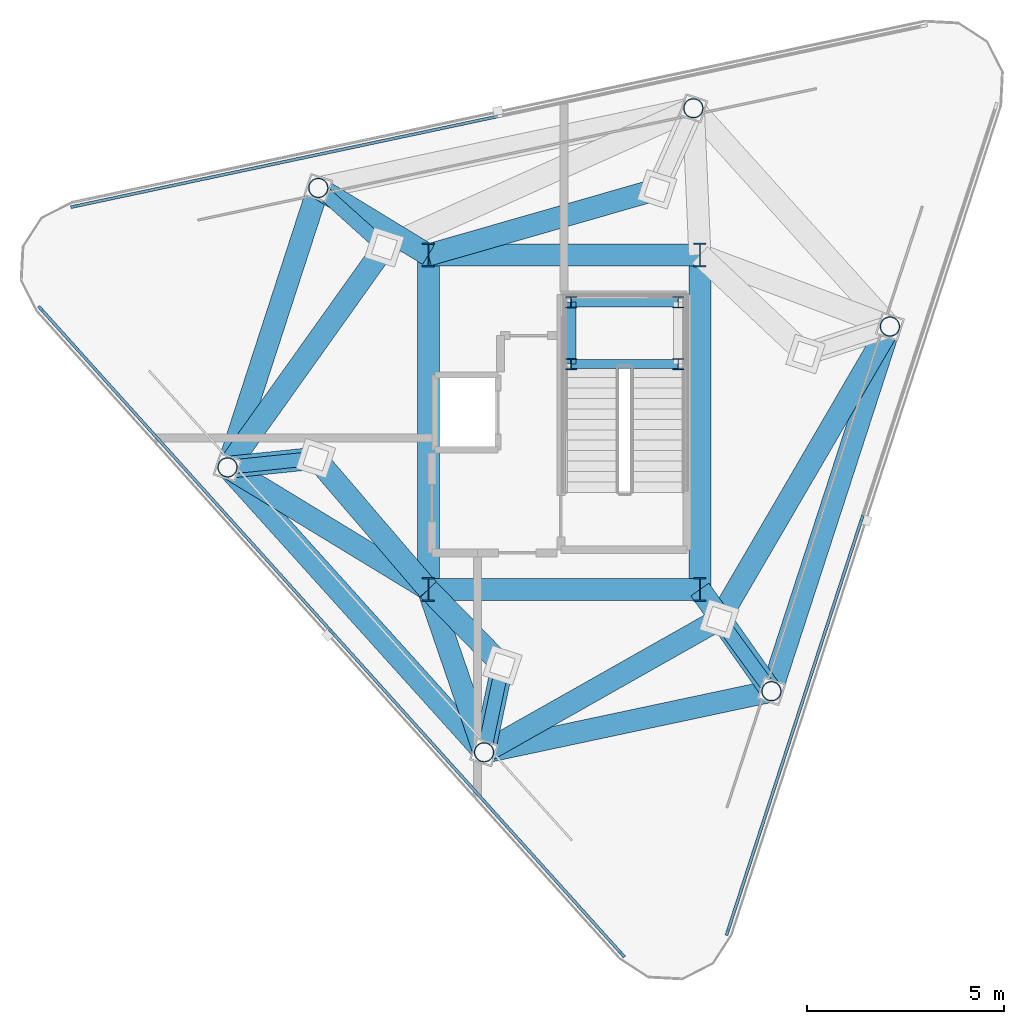
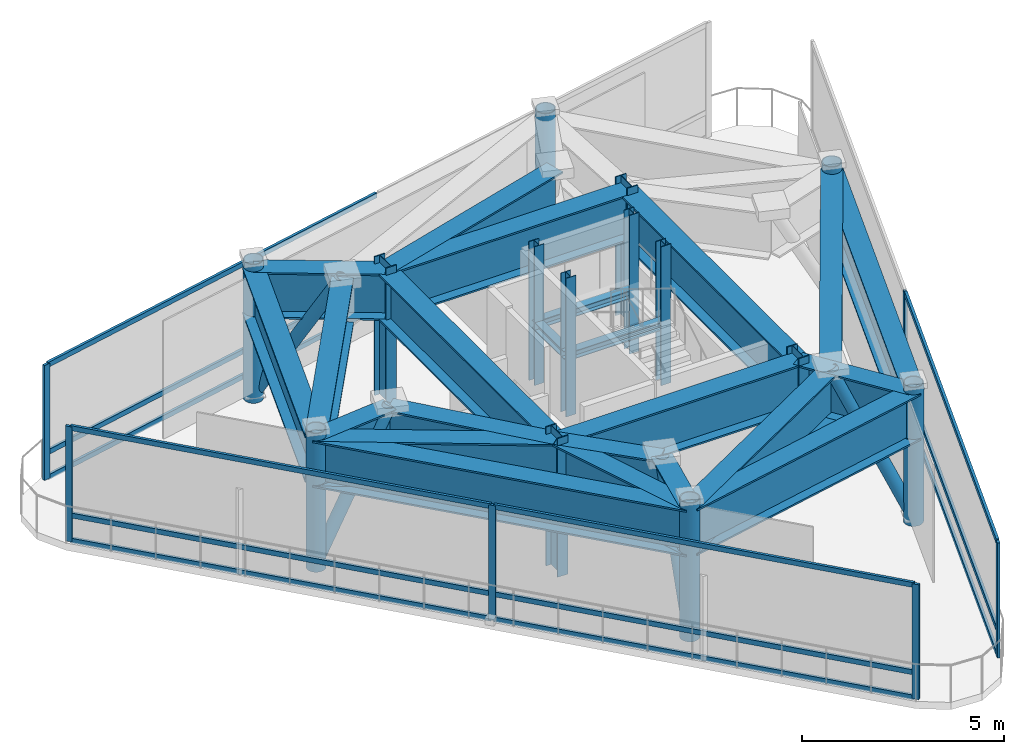
# One storey, part 1 of 4: 23 beams, 22 members, 14 columns, 3 elements without a shape of their own.
"""IFC4 building model written with IfcOpenShell, lengths in metres."""

import ifcopenshell
import ifcopenshell.guid

model = None  # the IFC model being written
_history = None  # IfcOwnerHistory: only IFC2X3 demands one
_inside = {}  # id of a spatial element -> (the spatial element, [elements in it])
_under = {}  # id of a project, library or spatial element -> (it, [spatial elements below it])
_declared = {}  # id of a project -> (the project, [libraries it declares])
_typed = {}  # id of a type object -> (the type object, [elements of that type])
_made_of = {}  # id of a material, layer set ... -> (it, [elements and type objects made of it])


def new_model(schema):
    """Start an empty IFC model of exactly this schema.

    Asked for "IFC4X3", IfcOpenShell would pick the latest addendum, in which some entities
    have other attributes; the version numbers below select the first issue.
    IFC2X3 requires an IfcOwnerHistory on every rooted entity: one is made here for all.
    """
    global model, _history
    if schema == "IFC4X3":
        model = ifcopenshell.file(schema_version=(4, 3, 0, 0))
    else:
        model = ifcopenshell.file(schema=schema)
    _inside.clear()
    _under.clear()
    _declared.clear()
    _typed.clear()
    _made_of.clear()
    _history = None
    if model.schema == "IFC2X3":
        org = make("IfcOrganization", Name="unknown")
        user = make(
            "IfcPersonAndOrganization",
            ThePerson=make("IfcPerson", FamilyName="unknown"),
            TheOrganization=org,
        )
        app = make(
            "IfcApplication",
            ApplicationDeveloper=org,
            Version="unknown",
            ApplicationFullName="unknown",
            ApplicationIdentifier="unknown",
        )
        _history = make(
            "IfcOwnerHistory",
            OwningUser=user,
            OwningApplication=app,
            ChangeAction="ADDED",
            CreationDate=0,
        )
    return model


def make(cls, **values):
    """One entity of the class cls with the attributes given. An attribute that is None is left unset."""
    return model.create_entity(
        cls, **{name: value for name, value in values.items() if value is not None}
    )


def rooted(cls, **values):
    """An entity with a GlobalId (a new one), such as an element, a storey or a relation."""
    return make(cls, GlobalId=ifcopenshell.guid.new(), OwnerHistory=_history, **values)


def si_unit(unit_type, name, prefix=None):
    """IfcSIUnit, for example si_unit("LENGTHUNIT", "METRE", prefix="MILLI")."""
    return make("IfcSIUnit", UnitType=unit_type, Prefix=prefix, Name=name)


def assignment(units):
    """IfcUnitAssignment: the units of a project."""
    return None if units is None else make("IfcUnitAssignment", Units=units)


def point(xyz):
    """IfcCartesianPoint."""
    return None if xyz is None else make("IfcCartesianPoint", Coordinates=xyz)


def direction(xyz):
    """IfcDirection."""
    return None if xyz is None else make("IfcDirection", DirectionRatios=xyz)


def frame(location, z_axis=None, x_axis=None):
    """IfcAxis2Placement3D, a coordinate frame: its origin and axes. An axis left out is left unset."""
    return make(
        "IfcAxis2Placement3D",
        Location=point(location),
        Axis=direction(z_axis),
        RefDirection=direction(x_axis),
    )


def frame_2d(location, x_axis=None):
    """IfcAxis2Placement2D, a coordinate frame in the plane: its origin and x axis."""
    return make(
        "IfcAxis2Placement2D", Location=point(location), RefDirection=direction(x_axis)
    )


def origin():
    """The frame at (0, 0, 0) with its axes left unset."""
    return frame((0.0, 0.0, 0.0))


def origin_2d():
    """The frame at (0, 0) in the plane with its x axis left unset."""
    return frame_2d((0.0, 0.0))


def place(relative_to, where):
    """IfcLocalPlacement: puts the frame where relative to a parent placement (None: the world)."""
    return make(
        "IfcLocalPlacement", PlacementRelTo=relative_to, RelativePlacement=where
    )


def context(
    kind, dimensions, precision=None, world=None, true_north=None, identifier=None
):
    """IfcGeometricRepresentationContext, for example the 3D "Model" context."""
    return make(
        "IfcGeometricRepresentationContext",
        ContextIdentifier=identifier,
        ContextType=kind,
        CoordinateSpaceDimension=dimensions,
        Precision=precision,
        WorldCoordinateSystem=world,
        TrueNorth=true_north,
    )


def subcontext(parent, identifier, kind, view, scale=None):
    """IfcGeometricRepresentationSubContext, for example "Body" below "Model"."""
    return make(
        "IfcGeometricRepresentationSubContext",
        ContextIdentifier=identifier,
        ContextType=kind,
        ParentContext=parent,
        TargetScale=scale,
        TargetView=view,
    )


def project(units=None, contexts=None):
    """IfcProject with its units and contexts."""
    return rooted(
        "IfcProject",
        Name="project",
        RepresentationContexts=contexts,
        UnitsInContext=assignment(units),
    )


def spatial(cls, under=None, at=None, **own):
    """A site, building, storey or space (cls), placed at a placement, below another one or the project."""
    s = rooted(cls, ObjectPlacement=at, **own)
    if under is not None:
        _under.setdefault(under.id(), (under, []))[1].append(s)
    return s


def profile(cls, at=None, kind="AREA", **sizes):
    """A parametric profile (cls). Its sizes go by their IFC names, for example OverallWidth=200.0."""
    return make(cls, ProfileType=kind, Position=at, **sizes)


def rectangle(**sizes):
    """IfcRectangleProfileDef."""
    return profile("IfcRectangleProfileDef", **sizes)


def hollow_circle(**sizes):
    """IfcCircleHollowProfileDef."""
    return profile("IfcCircleHollowProfileDef", **sizes)


def i_section(**sizes):
    """IfcIShapeProfileDef."""
    return profile("IfcIShapeProfileDef", **sizes)


def extrude(swept, where, along, depth):
    """IfcExtrudedAreaSolid: the profile swept, set in the frame where, extruded along a direction by depth."""
    return make(
        "IfcExtrudedAreaSolid",
        SweptArea=swept,
        Position=where,
        ExtrudedDirection=direction(along),
        Depth=depth,
    )


def shape(context_of_items, identifier, shape_type, items):
    """IfcShapeRepresentation: the items that make up one representation, for example the "Body"."""
    return make(
        "IfcShapeRepresentation",
        ContextOfItems=context_of_items,
        RepresentationIdentifier=identifier,
        RepresentationType=shape_type,
        Items=items,
    )


def material(Name=None, Category=None):
    """IfcMaterial."""
    return make("IfcMaterial", Name=Name, Category=Category)


def layer(
    of_material, thickness, ventilated=None, Name=None, Category=None, Priority=None
):
    """IfcMaterialLayer: one layer of a wall or slab, of a material (None: an air gap)."""
    return make(
        "IfcMaterialLayer",
        Material=of_material,
        LayerThickness=thickness,
        IsVentilated=ventilated,
        Name=Name,
        Category=Category,
        Priority=Priority,
    )


def layer_set(layers, Name=None):
    """IfcMaterialLayerSet."""
    return make("IfcMaterialLayerSet", MaterialLayers=layers, LayerSetName=Name)


def material_profile(
    of_material, cross_section, Name=None, Category=None, Priority=None
):
    """IfcMaterialProfile: a cross section and its material."""
    return make(
        "IfcMaterialProfile",
        Name=Name,
        Material=of_material,
        Profile=cross_section,
        Priority=Priority,
        Category=Category,
    )


def profile_set(profiles, Name=None, composite=None):
    """IfcMaterialProfileSet."""
    return make(
        "IfcMaterialProfileSet",
        Name=Name,
        MaterialProfiles=profiles,
        CompositeProfile=composite,
    )


def made_of(thing, what):
    """Note that an element or type object is made of a material, layer set ...; save() writes the relation."""
    if what is not None:
        _made_of.setdefault(what.id(), (what, []))[1].append(thing)
    return thing


def type_object(cls, material=None, **own):
    """A type object (cls), such as IfcWallType, which elements share."""
    return made_of(rooted(cls, **own), material)


def element(
    cls,
    number,
    at=None,
    inside=None,
    cuts=None,
    type_object=None,
    material=None,
    context=None,
    identifier="Body",
    shape_type=None,
    held_by="IfcProductDefinitionShape",
    body=None,
    shapes=None,
    **own,
):
    """One element of the class cls, such as IfcWall. Its Tag is "e" and its number.

    at: its placement. inside: the storey or other place that contains it. cuts: it is an
    opening in that element (IfcRelVoidsElement). A single representation is given by context,
    identifier, shape_type and body (its items); several are given by shapes. held_by: the class
    of the entity that holds the representations. save() writes the other relations.
    """
    e = rooted(cls, Tag="e%d" % number, ObjectPlacement=at, **own)
    if body is not None:
        shapes = [shape(context, identifier, shape_type, body)]
    if shapes is not None:
        e.Representation = make(held_by, Representations=shapes)
    if inside is not None:
        _inside.setdefault(inside.id(), (inside, []))[1].append(e)
    if cuts is not None:
        rooted(
            "IfcRelVoidsElement", RelatingBuildingElement=cuts, RelatedOpeningElement=e
        )
    if type_object is not None:
        _typed.setdefault(type_object.id(), (type_object, []))[1].append(e)
    return made_of(e, material)


def aggregate(whole, parts):
    """IfcRelAggregates: a whole, such as a stair, and the parts it consists of."""
    return rooted("IfcRelAggregates", RelatingObject=whole, RelatedObjects=parts)


def save(model, path):
    """Write the relations noted so far, then the file.

    IfcRelAggregates (storeys below a building ...), IfcRelContainedInSpatialStructure (elements
    in a storey), IfcRelDefinesByType, IfcRelAssociatesMaterial and IfcRelDeclares: one each for
    every whole, place, type object, material and project.
    """
    for whole, parts in _under.values():
        aggregate(whole, parts)
    for where, things in _inside.values():
        rooted(
            "IfcRelContainedInSpatialStructure",
            RelatedElements=things,
            RelatingStructure=where,
        )
    for kind, things in _typed.values():
        rooted("IfcRelDefinesByType", RelatedObjects=things, RelatingType=kind)
    for what, things in _made_of.values():
        rooted("IfcRelAssociatesMaterial", RelatedObjects=things, RelatingMaterial=what)
    for by, libraries in _declared.values():
        rooted("IfcRelDeclares", RelatingContext=by, RelatedDefinitions=libraries)
    model.write(path)


model = new_model("IFC4")

# Units and contexts
model_context = context("Model", 3, precision=1e-05, world=origin(), true_north=direction((0.0, 1.0)))
body_context = subcontext(model_context, "Body", "Model", "MODEL_VIEW")
ifc_project = project(units=[si_unit("LENGTHUNIT", "METRE"), si_unit("AREAUNIT", "SQUARE_METRE"), si_unit("VOLUMEUNIT", "CUBIC_METRE"), si_unit("PLANEANGLEUNIT", "RADIAN"), si_unit("MASSUNIT", "GRAM", prefix="KILO")], contexts=[model_context])

# Site, building, storey
site_placement = place(None, origin())
site = spatial("IfcSite", under=ifc_project, at=site_placement, CompositionType="ELEMENT")
building_placement = place(site_placement, origin())
building = spatial("IfcBuilding", under=site, at=building_placement, Name="Terralouvre Media Tower", CompositionType="ELEMENT")
storey_placement = place(building_placement, frame((0.0, 0.0, 330.800048828125)))
storey = spatial("IfcBuildingStorey", under=building, at=storey_placement, Name="L85", CompositionType="ELEMENT", Elevation=330.800048828125)

# Columns
ifc_material_1 = material(Name="Structural steel S355J2", Category="steel")
ifc_material_profile_1 = material_profile(ifc_material_1, i_section(OverallWidth=0.280029296875, OverallDepth=0.280029296875, WebThickness=0.010498046875, FlangeThickness=0.01806640625, at=origin_2d()), Name="HEB 280")
ifc_profile_set_1 = profile_set([ifc_material_profile_1], Name="Structural steel S355J2")
column_type_1 = type_object("IfcColumnType", Name="Basement Aisle Pilaster PL-HEB280 (HEB 280)", PredefinedType="PILASTER", material=ifc_profile_set_1)
for number, where, z_axis, x_axis, name in (
    (1, (0.179931640625, 1.47998046875, 0.0), (0.0, 0.0, 1.0), (1.0, 0.0, 0.0), "L85 Crown Stair Landing Post ST5LP1"),
    (2, (2.89990234375, 1.47998046875, 0.0), (0.0, 0.0, 1.0), (1.0, 0.0, 0.0), "L85 Crown Stair Landing Post ST5LP2"),
    (3, (0.179931640625, 3.050048828125, 0.0), (0.0, 0.0, 1.0), (1.0, 0.0, 0.0), "L85 Crown Stair Landing Post ST5LP3"),
    (4, (2.89990234375, 3.050048828125, 0.0), (0.0, 0.0, 1.0), (1.0, 0.0, 0.0), "L85 Crown Stair Landing Post ST5LP4"),
):
    element("IfcColumn", number, at=place(storey_placement, frame(where, z_axis=z_axis, x_axis=x_axis)), inside=storey, type_object=column_type_1, Name=name, PredefinedType="PILASTER", context=body_context, shape_type="SweptSolid", body=[
        extrude(i_section(OverallWidth=0.280029296875, OverallDepth=0.280029296875, WebThickness=0.010498046875, FlangeThickness=0.01806640625, at=origin_2d()), origin(), (0.0, 0.0, 1.0), 4.199951171875),
    ])
ifc_material_2 = material(Name="Structural steel S460M", Category="steel")
ifc_material_profile_2 = material_profile(ifc_material_2, hollow_circle(Radius=0.25390625, WallThickness=0.02490234375, at=origin_2d()), Name="CHS 508x25")
ifc_profile_set_2 = profile_set([ifc_material_profile_2], Name="Structural steel S460M")
column_type_2 = type_object("IfcColumnType", Name="Structural Column C-CHS508 (CHS 508x25)", PredefinedType="COLUMN", material=ifc_profile_set_2)
for number, where, z_axis, x_axis, name in (
    (5, (5.267578125, -6.8330078125, 0.0), (0.0, 0.0, 1.0), (0.309016994375, 0.951056516295, 0.0), "L85 Perimeter Mega-Column CC11"),
    (6, (8.27783203125, 2.431884765625, 0.0), (0.0, 0.0, 1.0), (0.309016994375, 0.951056516295, 0.0), "L85 Perimeter Mega-Column CC12"),
    (7, (3.28369140625, 7.978271484375, 0.0), (0.0, 0.0, 1.0), (0.309016994375, 0.951056516295, 0.0), "L85 Perimeter Mega-Column CC21"),
    (8, (-6.244873046875, 5.952880859375, 0.0), (0.0, 0.0, 1.0), (0.309016994375, 0.951056516295, 0.0), "L85 Perimeter Mega-Column CC22"),
    (9, (-8.55126953125, -1.145263671875, 0.0), (0.0, 0.0, 1.0), (0.309016994375, 0.951056516295, 0.0), "L85 Perimeter Mega-Column CC31"),
    (10, (-2.032958984375, -8.384765625, 0.0), (0.0, 0.0, 1.0), (0.309016994375, 0.951056516295, 0.0), "L85 Perimeter Mega-Column CC32"),
):
    element("IfcColumn", number, at=place(storey_placement, frame(where, z_axis=z_axis, x_axis=x_axis)), inside=storey, type_object=column_type_2, Name=name, PredefinedType="COLUMN", context=body_context, shape_type="SweptSolid", body=[
        extrude(hollow_circle(Radius=0.25390625, WallThickness=0.02490234375, at=origin_2d()), origin(), (0.0, 0.0, 1.0), 4.199951171875),
    ])
ifc_material_3 = material(Name="Structural steel S460M", Category="steel")
ifc_material_profile_3 = material_profile(ifc_material_3, i_section(OverallWidth=0.300048828125, OverallDepth=0.60009765625, WebThickness=0.015380859375, FlangeThickness=0.030029296875, at=origin_2d()), Name="HEB 600")
ifc_profile_set_3 = profile_set([ifc_material_profile_3], Name="Structural steel S460M")
column_type_3 = type_object("IfcColumnType", Name="Structural Column C-HEB600 (HEB 600)", PredefinedType="COLUMN", material=ifc_profile_set_3)
for number, where, z_axis, x_axis, name in (
    (11, (-3.449951171875, -4.25, 0.0), (0.0, 0.0, 1.0), (1.0, 0.0, 0.0), "L85 Core Pilaster Column CP1"),
    (12, (3.449951171875, -4.25, 0.0), (0.0, 0.0, 1.0), (1.0, 0.0, 0.0), "L85 Core Pilaster Column CP3"),
    (13, (3.449951171875, 4.25, 0.0), (0.0, 0.0, 1.0), (1.0, 0.0, 0.0), "L85 Core Pilaster Column CP5"),
    (14, (-3.449951171875, 4.25, 0.0), (0.0, 0.0, 1.0), (1.0, 0.0, 0.0), "L85 Core Pilaster Column CP7"),
):
    element("IfcColumn", number, at=place(storey_placement, frame(where, z_axis=z_axis, x_axis=x_axis)), inside=storey, type_object=column_type_3, Name=name, PredefinedType="COLUMN", context=body_context, shape_type="SweptSolid", body=[
        extrude(i_section(OverallWidth=0.300048828125, OverallDepth=0.60009765625, WebThickness=0.015380859375, FlangeThickness=0.030029296875, at=origin_2d()), origin(), (0.0, 0.0, 1.0), 4.199951171875),
    ])

# Curtain wall, members
ifc_material_4 = material(Name="Low-iron laminated double glazing with solar-control coating", Category="glass")
ifc_layer = layer(ifc_material_4, 0.1650390625, Name="Faceted Glass-Point Crown Curtain Wall CW-06")
ifc_layer_set = layer_set([ifc_layer], Name="Low-iron laminated double glazing with solar-control coating")
curtain_wall_type = type_object("IfcCurtainWallType", Name="Faceted Glass-Point Crown Curtain Wall CW-06", PredefinedType="NOTDEFINED", material=ifc_layer_set)
curtain_wall_1_placement = place(storey_placement, origin())
curtain_wall_1 = element("IfcCurtainWall", 15, at=curtain_wall_1_placement, inside=storey, type_object=curtain_wall_type, Name="L85 Facade Curtain Wall F0", PredefinedType="NOTDEFINED")
ifc_material_5 = material(Name="Anodised extruded aluminium 6063-T6", Category="aluminium")
ifc_material_profile_4 = material_profile(ifc_material_5, rectangle(XDim=0.074951171875, YDim=0.14990234375, at=origin_2d()), Name="ALU 75x150")
ifc_profile_set_4 = profile_set([ifc_material_profile_4], Name="Anodised extruded aluminium 6063-T6")
member_type_1 = type_object("IfcMemberType", Name="Curtain-Wall Horizontal Transom TR-150", PredefinedType="USERDEFINED", material=ifc_profile_set_4)
member_1_placement = place(storey_placement, frame((4.16455078125, -12.9140625, 0.037353515625), z_axis=(0.309006471511, 0.951059935317, 0.0), x_axis=(-0.951059935317, 0.309006471511, 0.0)))
member_1 = element("IfcMember", 16, at=member_1_placement, type_object=member_type_1, Name="CW-06 transom 1.1", ObjectType="TRANSOM", PredefinedType="USERDEFINED", context=body_context, shape_type="SweptSolid", body=[
    extrude(rectangle(XDim=0.074951171875, YDim=0.14990234375, at=origin_2d()), origin(), (0.0, 0.0, 1.0), 10.957763671875),
])
member_2_placement = place(storey_placement, frame((4.16455078125, -12.9140625, 0.800048828125), z_axis=(0.309006471511, 0.951059935317, 0.0), x_axis=(-0.951059935317, 0.309006471511, 0.0)))
member_2 = element("IfcMember", 17, at=member_2_placement, type_object=member_type_1, Name="CW-06 transom 1.2", ObjectType="TRANSOM", PredefinedType="USERDEFINED", context=body_context, shape_type="SweptSolid", body=[
    extrude(rectangle(XDim=0.074951171875, YDim=0.14990234375, at=origin_2d()), origin(), (0.0, 0.0, 1.0), 10.957763671875),
])
member_3_placement = place(storey_placement, frame((4.16455078125, -12.9140625, 3.4423828125), z_axis=(0.309006471511, 0.951059935317, 0.0), x_axis=(-0.951059935317, 0.309006471511, 0.0)))
member_3 = element("IfcMember", 18, at=member_3_placement, type_object=member_type_1, Name="CW-06 transom 1.3", ObjectType="TRANSOM", PredefinedType="USERDEFINED", context=body_context, shape_type="SweptSolid", body=[
    extrude(rectangle(XDim=0.074951171875, YDim=0.14990234375, at=origin_2d()), origin(), (0.0, 0.0, 1.0), 10.957763671875),
])

curtain_wall_2_placement = place(storey_placement, origin())
curtain_wall_2 = element("IfcCurtainWall", 19, at=curtain_wall_2_placement, inside=storey, type_object=curtain_wall_type, Name="L85 Facade Curtain Wall F1", PredefinedType="NOTDEFINED")
member_4_placement = place(storey_placement, frame((-1.68994140625, 7.769775390625, 0.037353515625), z_axis=(-0.978145088634, -0.207923508966, 0.0), x_axis=(0.207923508966, -0.978145088634, 0.0)))
member_4 = element("IfcMember", 20, at=member_4_placement, type_object=member_type_1, Name="CW-06 transom 2.1", ObjectType="TRANSOM", PredefinedType="USERDEFINED", context=body_context, shape_type="SweptSolid", body=[
    extrude(rectangle(XDim=0.074951171875, YDim=0.14990234375, at=origin_2d()), origin(), (0.0, 0.0, 1.0), 10.95751953125),
])
member_5_placement = place(storey_placement, frame((-1.68994140625, 7.769775390625, 0.800048828125), z_axis=(-0.978145088634, -0.207923508966, 0.0), x_axis=(0.207923508966, -0.978145088634, 0.0)))
member_5 = element("IfcMember", 21, at=member_5_placement, type_object=member_type_1, Name="CW-06 transom 2.2", ObjectType="TRANSOM", PredefinedType="USERDEFINED", context=body_context, shape_type="SweptSolid", body=[
    extrude(rectangle(XDim=0.074951171875, YDim=0.14990234375, at=origin_2d()), origin(), (0.0, 0.0, 1.0), 10.95751953125),
])
member_6_placement = place(storey_placement, frame((-1.68994140625, 7.769775390625, 3.4423828125), z_axis=(-0.978145088634, -0.207923508966, 0.0), x_axis=(0.207923508966, -0.978145088634, 0.0)))
member_6 = element("IfcMember", 22, at=member_6_placement, type_object=member_type_1, Name="CW-06 transom 2.3", ObjectType="TRANSOM", PredefinedType="USERDEFINED", context=body_context, shape_type="SweptSolid", body=[
    extrude(rectangle(XDim=0.074951171875, YDim=0.14990234375, at=origin_2d()), origin(), (0.0, 0.0, 1.0), 10.95751953125),
])

curtain_wall_3_placement = place(storey_placement, origin())
curtain_wall_3 = element("IfcCurtainWall", 23, at=curtain_wall_3_placement, inside=storey, type_object=curtain_wall_type, Name="L85 Facade Curtain Wall F2", PredefinedType="NOTDEFINED")
member_7_placement = place(storey_placement, frame((-13.26611328125, 2.850341796875, 0.037353515625), z_axis=(0.669140744481, -0.743135696946, 0.0), x_axis=(0.743135696946, 0.669140744481, 0.0)))
member_7 = element("IfcMember", 24, at=member_7_placement, type_object=member_type_1, Name="CW-06 transom 1.1", ObjectType="TRANSOM", PredefinedType="USERDEFINED", context=body_context, shape_type="SweptSolid", body=[
    extrude(rectangle(XDim=0.074951171875, YDim=0.14990234375, at=origin_2d()), origin(), (0.0, 0.0, 1.0), 10.957275390625),
])
member_8_placement = place(storey_placement, frame((-13.26611328125, 2.850341796875, 0.800048828125), z_axis=(0.669140744481, -0.743135696946, 0.0), x_axis=(0.743135696946, 0.669140744481, 0.0)))
member_8 = element("IfcMember", 25, at=member_8_placement, type_object=member_type_1, Name="CW-06 transom 1.2", ObjectType="TRANSOM", PredefinedType="USERDEFINED", context=body_context, shape_type="SweptSolid", body=[
    extrude(rectangle(XDim=0.074951171875, YDim=0.14990234375, at=origin_2d()), origin(), (0.0, 0.0, 1.0), 10.957275390625),
])
member_9_placement = place(storey_placement, frame((-13.26611328125, 2.850341796875, 3.4423828125), z_axis=(0.669140744481, -0.743135696946, 0.0), x_axis=(0.743135696946, 0.669140744481, 0.0)))
member_9 = element("IfcMember", 26, at=member_9_placement, type_object=member_type_1, Name="CW-06 transom 1.3", ObjectType="TRANSOM", PredefinedType="USERDEFINED", context=body_context, shape_type="SweptSolid", body=[
    extrude(rectangle(XDim=0.074951171875, YDim=0.14990234375, at=origin_2d()), origin(), (0.0, 0.0, 1.0), 10.957275390625),
])
member_10_placement = place(storey_placement, frame((-5.8837890625, -5.348388671875, 0.037353515625), z_axis=(0.669140744481, -0.743135696946, 0.0), x_axis=(0.743135696946, 0.669140744481, 0.0)))
member_10 = element("IfcMember", 27, at=member_10_placement, type_object=member_type_1, Name="CW-06 transom 2.1", ObjectType="TRANSOM", PredefinedType="USERDEFINED", context=body_context, shape_type="SweptSolid", body=[
    extrude(rectangle(XDim=0.074951171875, YDim=0.14990234375, at=origin_2d()), origin(), (0.0, 0.0, 1.0), 10.957275390625),
])
member_11_placement = place(storey_placement, frame((-5.8837890625, -5.348388671875, 0.800048828125), z_axis=(0.669140744481, -0.743135696946, 0.0), x_axis=(0.743135696946, 0.669140744481, 0.0)))
member_11 = element("IfcMember", 28, at=member_11_placement, type_object=member_type_1, Name="CW-06 transom 2.2", ObjectType="TRANSOM", PredefinedType="USERDEFINED", context=body_context, shape_type="SweptSolid", body=[
    extrude(rectangle(XDim=0.074951171875, YDim=0.14990234375, at=origin_2d()), origin(), (0.0, 0.0, 1.0), 10.957275390625),
])
member_12_placement = place(storey_placement, frame((-5.8837890625, -5.348388671875, 3.4423828125), z_axis=(0.669140744481, -0.743135696946, 0.0), x_axis=(0.743135696946, 0.669140744481, 0.0)))
member_12 = element("IfcMember", 29, at=member_12_placement, type_object=member_type_1, Name="CW-06 transom 2.3", ObjectType="TRANSOM", PredefinedType="USERDEFINED", context=body_context, shape_type="SweptSolid", body=[
    extrude(rectangle(XDim=0.074951171875, YDim=0.14990234375, at=origin_2d()), origin(), (0.0, 0.0, 1.0), 10.957275390625),
])

# Member
ifc_material_6 = material(Name="Anodised extruded aluminium 6063-T6", Category="aluminium")
ifc_material_profile_5 = material_profile(ifc_material_6, rectangle(XDim=0.074951171875, YDim=0.179931640625, at=origin_2d()), Name="ALU 75x180")
ifc_profile_set_5 = profile_set([ifc_material_profile_5], Name="Anodised extruded aluminium 6063-T6")
member_type_2 = type_object("IfcMemberType", Name="Curtain-Wall Vertical Mullion ML-180", PredefinedType="MULLION", material=ifc_profile_set_5)
member_13_placement = place(storey_placement, frame((4.15283203125, -12.94970703125, 0.0), z_axis=(0.0, 0.0, 1.0), x_axis=(-0.951056593852, 0.30901675568, 0.0)))
member_13 = element("IfcMember", 30, at=member_13_placement, type_object=member_type_2, Name="CW-06 mullion 1", PredefinedType="MULLION", context=body_context, shape_type="SweptSolid", body=[
    extrude(rectangle(XDim=0.074951171875, YDim=0.179931640625, at=origin_2d()), origin(), (0.0, 0.0, 1.0), 3.47998046875),
])

member_14_placement = place(storey_placement, frame((7.56201171875, -2.45703125, 0.0), z_axis=(0.0, 0.0, 1.0), x_axis=(-0.951056593852, 0.30901675568, 0.0)))
member_14 = element("IfcMember", 31, at=member_14_placement, type_object=member_type_2, Name="CW-06 mullion 2", PredefinedType="MULLION", context=body_context, shape_type="SweptSolid", body=[
    extrude(rectangle(XDim=0.074951171875, YDim=0.179931640625, at=origin_2d()), origin(), (0.0, 0.0, 1.0), 3.47998046875),
])

aggregate(curtain_wall_1, [member_13, member_14, member_1, member_2, member_3])

member_15_placement = place(storey_placement, frame((-12.444580078125, 5.483642578125, 0.0), z_axis=(0.0, 0.0, 1.0), x_axis=(0.207911894571, -0.978147557425, 0.0)))
member_15 = element("IfcMember", 32, at=member_15_placement, type_object=member_type_2, Name="CW-06 mullion 3", PredefinedType="MULLION", context=body_context, shape_type="SweptSolid", body=[
    extrude(rectangle(XDim=0.074951171875, YDim=0.179931640625, at=origin_2d()), origin(), (0.0, 0.0, 1.0), 3.47998046875),
])

aggregate(curtain_wall_2, [member_15, member_4, member_5, member_6])

member_16_placement = place(storey_placement, frame((-13.291015625, 2.87841796875, 0.0), z_axis=(0.0, 0.0, 1.0), x_axis=(0.743144934041, 0.669130485787, 0.0)))
member_16 = element("IfcMember", 33, at=member_16_placement, type_object=member_type_2, Name="CW-06 mullion 1", PredefinedType="MULLION", context=body_context, shape_type="SweptSolid", body=[
    extrude(rectangle(XDim=0.074951171875, YDim=0.179931640625, at=origin_2d()), origin(), (0.0, 0.0, 1.0), 3.47998046875),
])

member_17_placement = place(storey_placement, frame((-5.908935546875, -5.320556640625, 0.0), z_axis=(0.0, 0.0, 1.0), x_axis=(0.743144934041, 0.669130485787, 0.0)))
member_17 = element("IfcMember", 34, at=member_17_placement, type_object=member_type_2, Name="CW-06 mullion 2", PredefinedType="MULLION", context=body_context, shape_type="SweptSolid", body=[
    extrude(rectangle(XDim=0.074951171875, YDim=0.179931640625, at=origin_2d()), origin(), (0.0, 0.0, 1.0), 3.47998046875),
])

member_18_placement = place(storey_placement, frame((1.47314453125, -13.519287109375, 0.0), z_axis=(0.0, 0.0, 1.0), x_axis=(0.743144934041, 0.669130485787, 0.0)))
member_18 = element("IfcMember", 35, at=member_18_placement, type_object=member_type_2, Name="CW-06 mullion 3", PredefinedType="MULLION", context=body_context, shape_type="SweptSolid", body=[
    extrude(rectangle(XDim=0.074951171875, YDim=0.179931640625, at=origin_2d()), origin(), (0.0, 0.0, 1.0), 3.47998046875),
])

aggregate(curtain_wall_3, [member_16, member_17, member_18, member_7, member_8, member_9, member_10, member_11, member_12])

# Members
ifc_material_7 = material(Name="Structural steel S355J2", Category="steel")
ifc_material_profile_6 = material_profile(ifc_material_7, hollow_circle(Radius=0.177734375, WallThickness=0.01611328125, at=origin_2d()), Name="CHS 355.6x16")
ifc_profile_set_6 = profile_set([ifc_material_profile_6], Name="Structural steel S355J2")
member_type_3 = type_object("IfcMemberType", Name="Faceted Crown Rib Rafter RF-CHS356 (CHS 355.6x16)", PredefinedType="RAFTER", material=ifc_profile_set_6)
member_19_placement = place(storey_placement, frame((5.267578125, -6.8330078125, 0.14990234375), z_axis=(-0.29777877491, 0.41107969941, 0.861592294502), x_axis=(-0.809848177993, -0.586639521854, 0.0)))
element("IfcMember", 36, at=member_19_placement, inside=storey, type_object=member_type_3, Name="L85 Faceted Glass-Point Crown Rib 13", PredefinedType="RAFTER", context=body_context, shape_type="SweptSolid", body=[
    extrude(hollow_circle(Radius=0.177734375, WallThickness=0.01611328125, at=origin_2d()), origin(), (0.0, 0.0, 1.0), 4.4453125),
])
member_20_placement = place(storey_placement, frame((-6.244873046875, 5.952880859375, 0.14990234375), z_axis=(0.377647747697, -0.339092087592, 0.861625634944), x_axis=(0.668103366561, 0.74406847238, 0.0)))
element("IfcMember", 37, at=member_20_placement, inside=storey, type_object=member_type_3, Name="L85 Faceted Glass-Point Crown Rib 16", PredefinedType="RAFTER", context=body_context, shape_type="SweptSolid", body=[
    extrude(hollow_circle(Radius=0.177734375, WallThickness=0.01611328125, at=origin_2d()), origin(), (0.0, 0.0, 1.0), 4.445068359375),
])
for number, where, z_axis, x_axis, name in (
    (38, (-8.55126953125, -1.145263671875, 0.14990234375), (0.504886790232, 0.052339509528, 0.861597298505), (-0.103113254614, 0.994669621896, 0.0), "L85 Faceted Glass-Point Crown Rib 17"),
    (39, (-2.032958984375, -8.384765625, 0.14990234375), (0.104843675159, 0.496648168918, 0.8615964253), (-0.978435984957, 0.206550292523, 0.0), "L85 Faceted Glass-Point Crown Rib 18"),
):
    element("IfcMember", number, at=place(storey_placement, frame(where, z_axis=z_axis, x_axis=x_axis)), inside=storey, type_object=member_type_3, Name=name, PredefinedType="RAFTER", context=body_context, shape_type="SweptSolid", body=[
        extrude(hollow_circle(Radius=0.177734375, WallThickness=0.01611328125, at=origin_2d()), origin(), (0.0, 0.0, 1.0), 4.4453125),
    ])

# Beams
ifc_material_8 = material(Name="Structural steel S355J2", Category="steel")
ifc_material_profile_7 = material_profile(ifc_material_8, i_section(OverallWidth=0.239990234375, OverallDepth=0.239990234375, WebThickness=0.010009765625, FlangeThickness=0.01708984375, at=origin_2d()), Name="HEB 240")
ifc_profile_set_7 = profile_set([ifc_material_profile_7], Name="Structural steel S355J2")
beam_type_1 = type_object("IfcBeamType", Name="Opening Lintel Beam LN-240H (HEB 240)", PredefinedType="LINTEL", material=ifc_profile_set_7)
for number, where, z_axis, x_axis, name in (
    (40, (0.179931640625, 1.47998046875, 1.780029296875), (1.0, 0.0, 0.0), (0.0, 1.0, 0.0), "L85 ST-05 Landing Support Beam 1S"),
    (41, (0.179931640625, 3.050048828125, 1.780029296875), (1.0, 0.0, 0.0), (0.0, 1.0, 0.0), "L85 ST-05 Landing Support Beam 1N"),
):
    element("IfcBeam", number, at=place(storey_placement, frame(where, z_axis=z_axis, x_axis=x_axis)), inside=storey, type_object=beam_type_1, Name=name, PredefinedType="LINTEL", context=body_context, shape_type="SweptSolid", body=[
        extrude(i_section(OverallWidth=0.239990234375, OverallDepth=0.239990234375, WebThickness=0.010009765625, FlangeThickness=0.01708984375, at=origin_2d()), origin(), (0.0, 0.0, 1.0), 2.719970703125),
    ])
beam_1_placement = place(storey_placement, frame((0.179931640625, 1.47998046875, 1.780029296875), z_axis=(0.0, 1.0, 0.0), x_axis=(-1.0, 0.0, 0.0)))
element("IfcBeam", 42, at=beam_1_placement, inside=storey, type_object=beam_type_1, Name="L85 ST-05 Landing Support Beam 1WC", PredefinedType="LINTEL", context=body_context, shape_type="SweptSolid", body=[
    extrude(i_section(OverallWidth=0.239990234375, OverallDepth=0.239990234375, WebThickness=0.010009765625, FlangeThickness=0.01708984375, at=origin_2d()), origin(), (0.0, 0.0, 1.0), 1.570068359375),
])
ifc_material_9 = material(Name="Structural steel S460M", Category="steel")
ifc_material_profile_8 = material_profile(ifc_material_9, i_section(OverallWidth=0.56005859375, OverallDepth=1.39990234375, WebThickness=0.031982421875, FlangeThickness=0.050048828125, at=origin_2d()), Name="TG 1400x560")
ifc_profile_set_8 = profile_set([ifc_material_profile_8], Name="Structural steel S460M")
beam_type_2 = type_object("IfcBeamType", Name="Welded Transfer Girder TG-1400 (TG 1400x560)", PredefinedType="USERDEFINED", material=ifc_profile_set_8)
beam_2_placement = place(storey_placement, frame((-3.449951171875, -4.25, 3.280029296875), z_axis=(1.0, 0.0, 0.0), x_axis=(0.0, 1.0, 0.0)))
element("IfcBeam", 43, at=beam_2_placement, inside=storey, type_object=beam_type_2, Name="L85 Framing Beam BM-L85-CR01", ObjectType="TRANSFER GIRDER", PredefinedType="USERDEFINED", context=body_context, shape_type="SweptSolid", body=[
    extrude(i_section(OverallWidth=0.56005859375, OverallDepth=1.39990234375, WebThickness=0.031982421875, FlangeThickness=0.050048828125, at=origin_2d()), origin(), (0.0, 0.0, 1.0), 6.89990234375),
])
beam_3_placement = place(storey_placement, frame((3.449951171875, -4.25, 3.280029296875), z_axis=(0.0, 1.0, 0.0), x_axis=(-1.0, 0.0, 0.0)))
element("IfcBeam", 44, at=beam_3_placement, inside=storey, type_object=beam_type_2, Name="L85 Framing Beam BM-L85-CR02", ObjectType="TRANSFER GIRDER", PredefinedType="USERDEFINED", context=body_context, shape_type="SweptSolid", body=[
    extrude(i_section(OverallWidth=0.56005859375, OverallDepth=1.39990234375, WebThickness=0.031982421875, FlangeThickness=0.050048828125, at=origin_2d()), origin(), (0.0, 0.0, 1.0), 8.5),
])
beam_4_placement = place(storey_placement, frame((3.449951171875, 4.25, 3.280029296875), z_axis=(-1.0, 0.0, 0.0), x_axis=(0.0, -1.0, 0.0)))
element("IfcBeam", 45, at=beam_4_placement, inside=storey, type_object=beam_type_2, Name="L85 Framing Beam BM-L85-CR03", ObjectType="TRANSFER GIRDER", PredefinedType="USERDEFINED", context=body_context, shape_type="SweptSolid", body=[
    extrude(i_section(OverallWidth=0.56005859375, OverallDepth=1.39990234375, WebThickness=0.031982421875, FlangeThickness=0.050048828125, at=origin_2d()), origin(), (0.0, 0.0, 1.0), 6.89990234375),
])
beam_5_placement = place(storey_placement, frame((-3.449951171875, 4.25, 3.280029296875), z_axis=(0.0, -1.0, 0.0), x_axis=(1.0, 0.0, 0.0)))
element("IfcBeam", 46, at=beam_5_placement, inside=storey, type_object=beam_type_2, Name="L85 Framing Beam BM-L85-CR04", ObjectType="TRANSFER GIRDER", PredefinedType="USERDEFINED", context=body_context, shape_type="SweptSolid", body=[
    extrude(i_section(OverallWidth=0.56005859375, OverallDepth=1.39990234375, WebThickness=0.031982421875, FlangeThickness=0.050048828125, at=origin_2d()), origin(), (0.0, 0.0, 1.0), 8.5),
])
beam_6_placement = place(storey_placement, frame((-8.55126953125, -1.145263671875, 3.280029296875), z_axis=(0.66912117908, -0.743153313729, 0.0), x_axis=(0.743153313729, 0.66912117908, 0.0)))
element("IfcBeam", 47, at=beam_6_placement, inside=storey, type_object=beam_type_2, Name="L85 Framing Beam BM-L85-PR01", ObjectType="TRANSFER GIRDER", PredefinedType="USERDEFINED", context=body_context, shape_type="SweptSolid", body=[
    extrude(i_section(OverallWidth=0.56005859375, OverallDepth=1.39990234375, WebThickness=0.031982421875, FlangeThickness=0.050048828125, at=origin_2d()), origin(), (0.0, 0.0, 1.0), 9.74169921875),
])
beam_7_placement = place(storey_placement, frame((-2.032958984375, -8.384765625, 3.280029296875), z_axis=(0.978148125357, 0.207909222645, 0.0), x_axis=(-0.207909222645, 0.978148125357, 0.0)))
element("IfcBeam", 48, at=beam_7_placement, inside=storey, type_object=beam_type_2, Name="L85 Framing Beam BM-L85-PR02", ObjectType="TRANSFER GIRDER", PredefinedType="USERDEFINED", context=body_context, shape_type="SweptSolid", body=[
    extrude(i_section(OverallWidth=0.56005859375, OverallDepth=1.39990234375, WebThickness=0.031982421875, FlangeThickness=0.050048828125, at=origin_2d()), origin(), (0.0, 0.0, 1.0), 7.463623046875),
])
beam_8_placement = place(storey_placement, frame((5.267578125, -6.8330078125, 3.280029296875), z_axis=(0.309008435874, 0.951059297078, 0.0), x_axis=(-0.951059297078, 0.309008435874, 0.0)))
element("IfcBeam", 49, at=beam_8_placement, inside=storey, type_object=beam_type_2, Name="L85 Framing Beam BM-L85-PR03", ObjectType="TRANSFER GIRDER", PredefinedType="USERDEFINED", context=body_context, shape_type="SweptSolid", body=[
    extrude(i_section(OverallWidth=0.56005859375, OverallDepth=1.39990234375, WebThickness=0.031982421875, FlangeThickness=0.050048828125, at=origin_2d()), origin(), (0.0, 0.0, 1.0), 9.74169921875),
])
beam_9_placement = place(storey_placement, frame((-6.244873046875, 5.952880859375, 3.280029296875), z_axis=(-0.309025419545, -0.95105377875, 0.0), x_axis=(0.95105377875, -0.309025419545, 0.0)))
element("IfcBeam", 50, at=beam_9_placement, inside=storey, type_object=beam_type_2, Name="L85 Framing Beam BM-L85-PR06", ObjectType="TRANSFER GIRDER", PredefinedType="USERDEFINED", context=body_context, shape_type="SweptSolid", body=[
    extrude(i_section(OverallWidth=0.56005859375, OverallDepth=1.39990234375, WebThickness=0.031982421875, FlangeThickness=0.050048828125, at=origin_2d()), origin(), (0.0, 0.0, 1.0), 7.46337890625),
])
beam_10_placement = place(storey_placement, frame((-3.449951171875, -4.25, 3.280029296875), z_axis=(-0.85422934249, 0.519896365085, 0.0), x_axis=(-0.519896365085, -0.85422934249, 0.0)))
element("IfcBeam", 51, at=beam_10_placement, inside=storey, type_object=beam_type_2, Name="L85 Framing Beam BM-L85-RD01", ObjectType="TRANSFER GIRDER", PredefinedType="USERDEFINED", context=body_context, shape_type="SweptSolid", body=[
    extrude(i_section(OverallWidth=0.56005859375, OverallDepth=1.39990234375, WebThickness=0.031982421875, FlangeThickness=0.050048828125, at=origin_2d()), origin(), (0.0, 0.0, 1.0), 5.971923828125),
])
beam_11_placement = place(storey_placement, frame((-3.449951171875, -4.25, 3.280029296875), z_axis=(0.324192941403, -0.945990981323, 0.0), x_axis=(0.945990981323, 0.324192941403, 0.0)))
element("IfcBeam", 52, at=beam_11_placement, inside=storey, type_object=beam_type_2, Name="L85 Framing Beam BM-L85-RD02", ObjectType="TRANSFER GIRDER", PredefinedType="USERDEFINED", context=body_context, shape_type="SweptSolid", body=[
    extrude(i_section(OverallWidth=0.56005859375, OverallDepth=1.39990234375, WebThickness=0.031982421875, FlangeThickness=0.050048828125, at=origin_2d()), origin(), (0.0, 0.0, 1.0), 4.370849609375),
])
beam_12_placement = place(storey_placement, frame((3.449951171875, -4.25, 3.280029296875), z_axis=(0.575483832526, -0.817813156229, 0.0), x_axis=(0.817813156229, 0.575483832526, 0.0)))
element("IfcBeam", 53, at=beam_12_placement, inside=storey, type_object=beam_type_2, Name="L85 Framing Beam BM-L85-RD03", ObjectType="TRANSFER GIRDER", PredefinedType="USERDEFINED", context=body_context, shape_type="SweptSolid", body=[
    extrude(i_section(OverallWidth=0.56005859375, OverallDepth=1.39990234375, WebThickness=0.031982421875, FlangeThickness=0.050048828125, at=origin_2d()), origin(), (0.0, 0.0, 1.0), 3.158447265625),
])
beam_13_placement = place(storey_placement, frame((-3.449951171875, 4.25, 3.280029296875), z_axis=(-0.853978085487, 0.520308975041, 0.0), x_axis=(-0.520308975041, -0.853978085487, 0.0)))
element("IfcBeam", 54, at=beam_13_placement, inside=storey, type_object=beam_type_2, Name="L85 Framing Beam BM-L85-RD06", ObjectType="TRANSFER GIRDER", PredefinedType="USERDEFINED", context=body_context, shape_type="SweptSolid", body=[
    extrude(i_section(OverallWidth=0.56005859375, OverallDepth=1.39990234375, WebThickness=0.031982421875, FlangeThickness=0.050048828125, at=origin_2d()), origin(), (0.0, 0.0, 1.0), 3.272705078125),
])
beam_14_placement = place(storey_placement, frame((3.94384765625, -5.005615234375, 3.280029296875), z_axis=(-0.870503228846, -0.492162705382, 0.0), x_axis=(0.492162705382, -0.870503228846, 0.0)))
element("IfcBeam", 55, at=beam_14_placement, inside=storey, type_object=beam_type_2, Name="L85 Framing Beam BM-L85-TR01S1", ObjectType="TRANSFER GIRDER", PredefinedType="USERDEFINED", context=body_context, shape_type="SweptSolid", body=[
    extrude(i_section(OverallWidth=0.56005859375, OverallDepth=1.39990234375, WebThickness=0.031982421875, FlangeThickness=0.050048828125, at=origin_2d()), origin(), (0.0, 0.0, 1.0), 6.865966796875),
])
beam_15_placement = place(storey_placement, frame((3.94384765625, -5.005615234375, 3.280029296875), z_axis=(0.503475967095, 0.864009230598, 0.0), x_axis=(-0.864009230598, 0.503475967095, 0.0)))
element("IfcBeam", 56, at=beam_15_placement, inside=storey, type_object=beam_type_2, Name="L85 Framing Beam BM-L85-TR01S2", ObjectType="TRANSFER GIRDER", PredefinedType="USERDEFINED", context=body_context, shape_type="SweptSolid", body=[
    extrude(i_section(OverallWidth=0.56005859375, OverallDepth=1.39990234375, WebThickness=0.031982421875, FlangeThickness=0.050048828125, at=origin_2d()), origin(), (0.0, 0.0, 1.0), 8.608154296875),
])
beam_16_placement = place(storey_placement, frame((2.363037109375, 5.918212890625, 3.280029296875), z_axis=(-0.961201855503, -0.275845958784, 0.0), x_axis=(0.275845958784, -0.961201855503, 0.0)))
element("IfcBeam", 57, at=beam_16_placement, inside=storey, type_object=beam_type_2, Name="L85 Framing Beam BM-L85-TR03S2", ObjectType="TRANSFER GIRDER", PredefinedType="USERDEFINED", context=body_context, shape_type="SweptSolid", body=[
    extrude(i_section(OverallWidth=0.56005859375, OverallDepth=1.39990234375, WebThickness=0.031982421875, FlangeThickness=0.050048828125, at=origin_2d()), origin(), (0.0, 0.0, 1.0), 6.047607421875),
])
beam_17_placement = place(storey_placement, frame((-4.566162109375, 4.445556640625, 3.280029296875), z_axis=(-0.580433982216, -0.814307308262, 0.0), x_axis=(0.814307308262, -0.580433982216, 0.0)))
element("IfcBeam", 58, at=beam_17_placement, inside=storey, type_object=beam_type_2, Name="L85 Framing Beam BM-L85-TR04S1", ObjectType="TRANSFER GIRDER", PredefinedType="USERDEFINED", context=body_context, shape_type="SweptSolid", body=[
    extrude(i_section(OverallWidth=0.56005859375, OverallDepth=1.39990234375, WebThickness=0.031982421875, FlangeThickness=0.050048828125, at=origin_2d()), origin(), (0.0, 0.0, 1.0), 6.86572265625),
])
beam_18_placement = place(storey_placement, frame((-6.306884765625, -0.91259765625, 3.280029296875), z_axis=(-0.994669621896, -0.103113254614, 0.0), x_axis=(0.103113254614, -0.994669621896, 0.0)))
element("IfcBeam", 59, at=beam_18_placement, inside=storey, type_object=beam_type_2, Name="L85 Framing Beam BM-L85-TR05S1", ObjectType="TRANSFER GIRDER", PredefinedType="USERDEFINED", context=body_context, shape_type="SweptSolid", body=[
    extrude(i_section(OverallWidth=0.56005859375, OverallDepth=1.39990234375, WebThickness=0.031982421875, FlangeThickness=0.050048828125, at=origin_2d()), origin(), (0.0, 0.0, 1.0), 2.25634765625),
])
beam_19_placement = place(storey_placement, frame((-6.306884765625, -0.91259765625, 3.280029296875), z_axis=(0.650306127821, -0.759672258358, 0.0), x_axis=(0.759672258358, 0.650306127821, 0.0)))
element("IfcBeam", 60, at=beam_19_placement, inside=storey, type_object=beam_type_2, Name="L85 Framing Beam BM-L85-TR05S2", ObjectType="TRANSFER GIRDER", PredefinedType="USERDEFINED", context=body_context, shape_type="SweptSolid", body=[
    extrude(i_section(OverallWidth=0.56005859375, OverallDepth=1.39990234375, WebThickness=0.031982421875, FlangeThickness=0.050048828125, at=origin_2d()), origin(), (0.0, 0.0, 1.0), 4.393310546875),
])
beam_20_placement = place(storey_placement, frame((-1.56689453125, -6.177001953125, 3.280029296875), z_axis=(-0.206550292523, -0.978435984957, 0.0), x_axis=(0.978435984957, -0.206550292523, 0.0)))
element("IfcBeam", 61, at=beam_20_placement, inside=storey, type_object=beam_type_2, Name="L85 Framing Beam BM-L85-TR06S1", ObjectType="TRANSFER GIRDER", PredefinedType="USERDEFINED", context=body_context, shape_type="SweptSolid", body=[
    extrude(i_section(OverallWidth=0.56005859375, OverallDepth=1.39990234375, WebThickness=0.031982421875, FlangeThickness=0.050048828125, at=origin_2d()), origin(), (0.0, 0.0, 1.0), 2.25634765625),
])
beam_21_placement = place(storey_placement, frame((-1.56689453125, -6.177001953125, 3.280029296875), z_axis=(-0.698904506235, 0.715214996462, 0.0), x_axis=(-0.715214996462, -0.698904506235, 0.0)))
element("IfcBeam", 62, at=beam_21_placement, inside=storey, type_object=beam_type_2, Name="L85 Framing Beam BM-L85-TR06S2", ObjectType="TRANSFER GIRDER", PredefinedType="USERDEFINED", context=body_context, shape_type="SweptSolid", body=[
    extrude(i_section(OverallWidth=0.56005859375, OverallDepth=1.39990234375, WebThickness=0.031982421875, FlangeThickness=0.050048828125, at=origin_2d()), origin(), (0.0, 0.0, 1.0), 2.6943359375),
])

save(model, "model.ifc")
